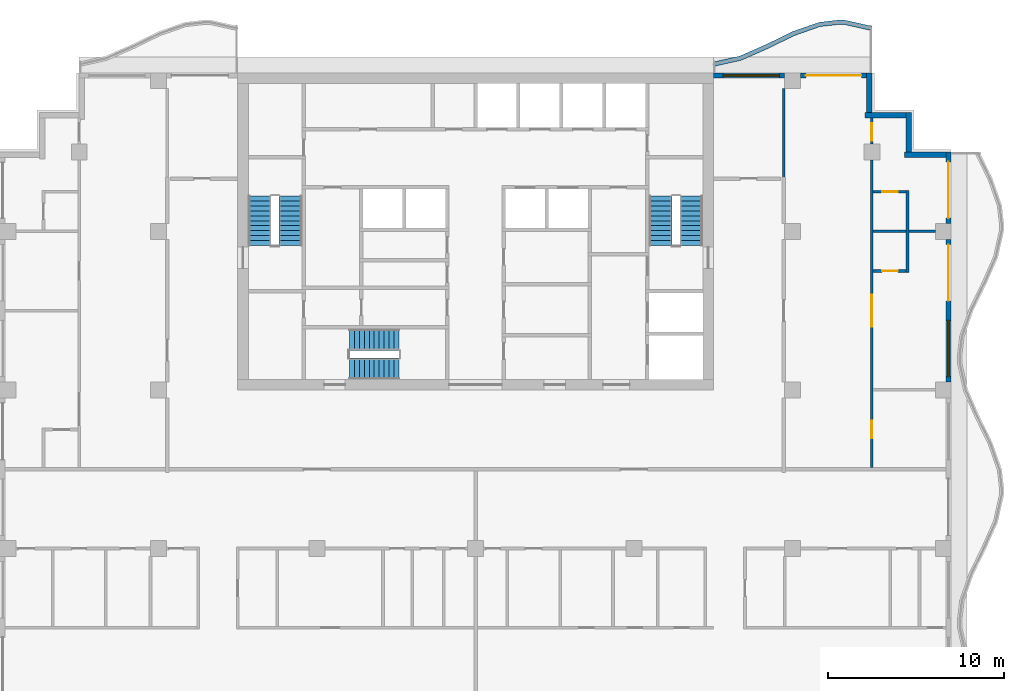
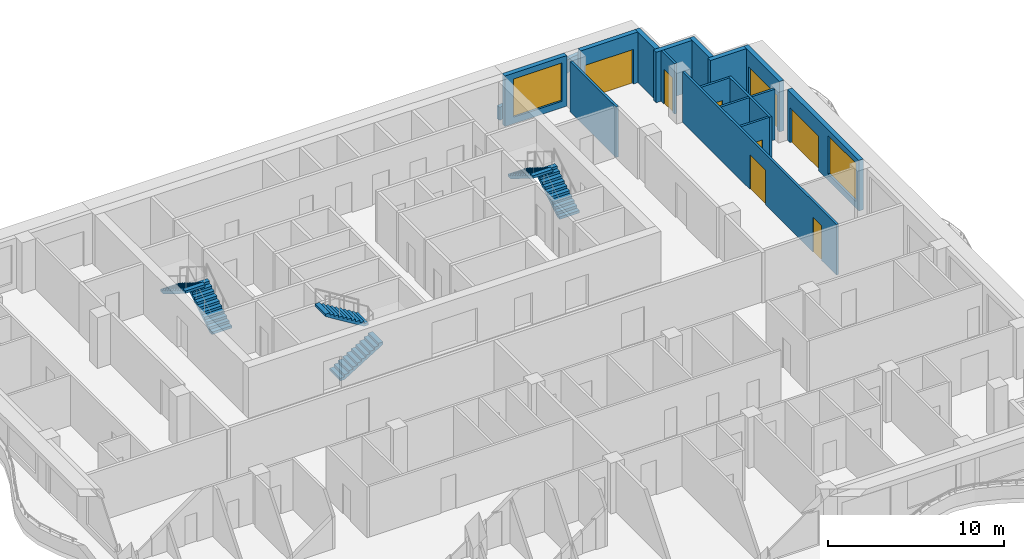
# One storey, part 7 of 11: 17 walls, 8 doors, 6 stair flights, 2 windows, 10 openings, 3 elements without a shape of their own.
"""IFC4 building model written with IfcOpenShell, lengths in metres."""

from ifc_helpers import new_model, si_unit, direction, frame, frame_2d, origin, place, context, subcontext, project, spatial, polyline, rectangle, outline, extrude, material, layer, layer_set, type_object, element, fill, aggregate, save


model = new_model("IFC4")

# Units and contexts
model_context = context("Model", 3, precision=1e-05, world=origin(), true_north=direction((0.0, 1.0)))
body_context = subcontext(model_context, "Body", "Model", "MODEL_VIEW")
ifc_project = project(units=[si_unit("LENGTHUNIT", "METRE"), si_unit("AREAUNIT", "SQUARE_METRE"), si_unit("VOLUMEUNIT", "CUBIC_METRE"), si_unit("PLANEANGLEUNIT", "RADIAN"), si_unit("MASSUNIT", "GRAM", prefix="KILO")], contexts=[model_context])

# Site, building, storey
site_placement = place(None, origin())
site = spatial("IfcSite", under=ifc_project, at=site_placement, CompositionType="ELEMENT")
building_placement = place(site_placement, origin())
building = spatial("IfcBuilding", under=site, at=building_placement, Name="Orbiselva Terraces", CompositionType="ELEMENT")
storey_placement = place(building_placement, frame((0.0, 0.0, 276.8)))
storey = spatial("IfcBuildingStorey", under=building, at=storey_placement, Name="L70", CompositionType="ELEMENT", Elevation=276.8)

# Wall
ifc_material_1 = material(Name="Concrete C40/50", Category="concrete")
ifc_layer_1 = layer(ifc_material_1, 0.25)
ifc_layer_set_1 = layer_set([ifc_layer_1], Name="Concrete C40/50")
wall_type_1 = type_object("IfcWallType", Name="ENV-PLANTER-250x900", PredefinedType="USERDEFINED", material=ifc_layer_set_1)
wall_1_placement = place(storey_placement, origin())
element("IfcWall", 1, at=wall_1_placement, inside=storey, type_object=wall_type_1, Name="Balcony planter L70 NE", ObjectType="PLANTER", PredefinedType="USERDEFINED", context=body_context, shape_type="SweptSolid", body=[
    extrude(outline(polyline([(22.5, 25.148528), (21.0, 25.485226), (20.625, 25.5), (19.5, 25.369208), (18.0, 24.844789), (16.5, 24.112279), (15.0, 23.451472), (13.5, 23.114774), (13.554754, 22.870844), (15.078508, 23.212874), (16.605286, 23.885477), (18.09644, 24.613667), (19.556371, 25.124078), (20.634572, 25.249429), (20.967435, 25.236315), (22.445246, 24.904598), (22.5, 25.148528)])), origin(), (0.0, 0.0, 1.0), 0.9),
])

# Wall, openings, door, window
ifc_material_2 = material(Name="Terracotta cladding on masonry backing", Category="masonry")
ifc_layer_2 = layer(ifc_material_2, 0.3)
ifc_layer_set_2 = layer_set([ifc_layer_2], Name="Terracotta cladding on masonry backing")
wall_type_2 = type_object("IfcWallType", Name="ENV-WALL-TERRACOTTA-300", PredefinedType="SOLIDWALL", material=ifc_layer_set_2)
wall_2_placement = place(storey_placement, frame((26.85, 13.05, 0.0), z_axis=(0.0, 0.0, 1.0), x_axis=(0.0, -1.0, 0.0)))
wall_2 = element("IfcWall", 2, at=wall_2_placement, inside=storey, type_object=wall_type_2, Name="Facade wall L70 E", PredefinedType="SOLIDWALL", context=body_context, shape_type="SweptSolid", body=[
    extrude(rectangle(XDim=8.1, YDim=0.3, at=frame_2d((4.05, 0.0))), origin(), (0.0, 0.0, 1.0), 3.5),
])
opening_1_placement = place(wall_2_placement, frame((4.6, 0.0, 0.45)))
opening_1 = element("IfcOpeningElement", 3, at=opening_1_placement, cuts=wall_2, Name="Opening WN17", PredefinedType="OPENING", context=body_context, shape_type="SweptSolid", body=[
    extrude(rectangle(XDim=3.2, YDim=2.65, at=frame_2d((1.6, 1.325))), frame((0.0, 0.16, 0.0), z_axis=(0.0, -1.0, 0.0), x_axis=(1.0, 0.0, 0.0)), (0.0, 0.0, 1.0), 0.32),
])
opening_2_placement = place(wall_2_placement, frame((0.3, 0.0, 0.0)))
opening_2 = element("IfcOpeningElement", 4, at=opening_2_placement, cuts=wall_2, Name="Opening Z5-D-E15", PredefinedType="OPENING", context=body_context, shape_type="SweptSolid", body=[
    extrude(rectangle(XDim=3.2, YDim=2.4, at=frame_2d((1.6, 1.2))), frame((0.0, 0.16, 0.0), z_axis=(0.0, -1.0, 0.0), x_axis=(1.0, 0.0, 0.0)), (0.0, 0.0, 1.0), 0.32),
])
ifc_material_3 = material(Name="Clear low-e glazing in aluminium frame", Category="aluminium")
door_type_1 = type_object("IfcDoorType", Name="BALCONY DOOR 3200 X 2400", OperationType="DOUBLE_DOOR_SLIDING", PredefinedType="DOOR", material=ifc_material_3)
door_1_placement = place(opening_2_placement, origin())
door_1 = element("IfcDoor", 5, at=door_1_placement, inside=storey, type_object=door_type_1, Name="Z5-D-E15", OperationType="SINGLE_SWING_LEFT", OverallHeight=2.4, OverallWidth=3.2, PredefinedType="DOOR", context=body_context, shape_type="SweptSolid", body=[
    extrude(rectangle(XDim=3.2, YDim=2.4, at=frame_2d((1.6, 1.2))), frame((0.0, 0.025, 0.0), z_axis=(0.0, -1.0, 0.0), x_axis=(1.0, 0.0, 0.0)), (0.0, 0.0, 1.0), 0.05),
])
fill(opening_2, door_1)
window_type = type_object("IfcWindowType", Name="WINDOW 3200 X 2650 S450", PartitioningType="TRIPLE_PANEL_VERTICAL", PredefinedType="WINDOW", material=ifc_material_3)
window_1_placement = place(opening_1_placement, origin())
window_1 = element("IfcWindow", 6, at=window_1_placement, inside=storey, type_object=window_type, Name="Window L70 E", OverallHeight=2.65, OverallWidth=3.2, PartitioningType="SINGLE_PANEL", PredefinedType="WINDOW", context=body_context, shape_type="SweptSolid", body=[
    extrude(rectangle(XDim=3.2, YDim=2.65, at=frame_2d((1.6, 1.325))), frame((0.0, 0.03, 0.0), z_axis=(0.0, -1.0, 0.0), x_axis=(1.0, 0.0, 0.0)), (0.0, 0.0, 1.0), 0.06),
])
fill(opening_1, window_1)

# Wall, opening, door
wall_3_placement = place(storey_placement, frame((26.85, 18.0, 0.0), z_axis=(0.0, 0.0, 1.0), x_axis=(0.0, -1.0, 0.0)))
wall_3 = element("IfcWall", 7, at=wall_3_placement, inside=storey, type_object=wall_type_2, Name="Facade wall L70 E", PredefinedType="SOLIDWALL", context=body_context, shape_type="SweptSolid", body=[
    extrude(rectangle(XDim=4.05, YDim=0.3, at=frame_2d((2.025, 0.0))), origin(), (0.0, 0.0, 1.0), 3.5),
])
opening_3_placement = place(wall_3_placement, frame((0.55, 0.0, 0.0)))
opening_3 = element("IfcOpeningElement", 8, at=opening_3_placement, cuts=wall_3, Name="Opening Z5-D-E06", PredefinedType="OPENING", context=body_context, shape_type="SweptSolid", body=[
    extrude(rectangle(XDim=3.2, YDim=2.4, at=frame_2d((1.6, 1.2))), frame((0.0, 0.16, 0.0), z_axis=(0.0, -1.0, 0.0), x_axis=(1.0, 0.0, 0.0)), (0.0, 0.0, 1.0), 0.32),
])
door_2_placement = place(opening_3_placement, origin())
door_2 = element("IfcDoor", 9, at=door_2_placement, inside=storey, type_object=door_type_1, Name="Z5-D-E06", OperationType="SINGLE_SWING_LEFT", OverallHeight=2.4, OverallWidth=3.2, PredefinedType="DOOR", context=body_context, shape_type="SweptSolid", body=[
    extrude(rectangle(XDim=3.2, YDim=2.4, at=frame_2d((1.6, 1.2))), frame((0.0, 0.025, 0.0), z_axis=(0.0, -1.0, 0.0), x_axis=(1.0, 0.0, 0.0)), (0.0, 0.0, 1.0), 0.05),
])
fill(opening_3, door_2)

# Walls
wall_4_placement = place(storey_placement, frame((24.35, 17.85, 0.0), z_axis=(0.0, 0.0, 1.0), x_axis=(1.0, 0.0, 0.0)))
element("IfcWall", 10, at=wall_4_placement, inside=storey, type_object=wall_type_2, Name="Facade wall L70 STEP", PredefinedType="SOLIDWALL", context=body_context, shape_type="SweptSolid", body=[
    extrude(rectangle(XDim=2.35, YDim=0.3, at=frame_2d((1.175, 0.0))), origin(), (0.0, 0.0, 1.0), 3.5),
])
wall_5_placement = place(storey_placement, frame((24.6, 20.25, 0.0), z_axis=(0.0, 0.0, 1.0), x_axis=(0.0, -1.0, 0.0)))
element("IfcWall", 11, at=wall_5_placement, inside=storey, type_object=wall_type_2, Name="Facade wall L70 STEP", PredefinedType="SOLIDWALL", context=body_context, shape_type="SweptSolid", body=[
    extrude(rectangle(XDim=2.25, YDim=0.3, at=frame_2d((1.125, 0.0))), origin(), (0.0, 0.0, 1.0), 3.5),
])
wall_6_placement = place(storey_placement, frame((22.1, 20.1, 0.0), z_axis=(0.0, 0.0, 1.0), x_axis=(1.0, 0.0, 0.0)))
element("IfcWall", 12, at=wall_6_placement, inside=storey, type_object=wall_type_2, Name="Facade wall L70 STEP", PredefinedType="SOLIDWALL", context=body_context, shape_type="SweptSolid", body=[
    extrude(rectangle(XDim=2.35, YDim=0.3, at=frame_2d((1.175, 0.0))), origin(), (0.0, 0.0, 1.0), 3.5),
])
wall_7_placement = place(storey_placement, frame((22.35, 22.5, 0.0), z_axis=(0.0, 0.0, 1.0), x_axis=(0.0, -1.0, 0.0)))
element("IfcWall", 13, at=wall_7_placement, inside=storey, type_object=wall_type_2, Name="Facade wall L70 STEP", PredefinedType="SOLIDWALL", context=body_context, shape_type="SweptSolid", body=[
    extrude(rectangle(XDim=2.25, YDim=0.3, at=frame_2d((1.125, 0.0))), origin(), (0.0, 0.0, 1.0), 3.5),
])

# Wall, opening, door
wall_8_placement = place(storey_placement, frame((18.45, 22.35, 0.0), z_axis=(0.0, 0.0, 1.0), x_axis=(1.0, 0.0, 0.0)))
wall_8 = element("IfcWall", 14, at=wall_8_placement, inside=storey, type_object=wall_type_2, Name="Facade wall L70 NE", PredefinedType="SOLIDWALL", context=body_context, shape_type="SweptSolid", body=[
    extrude(rectangle(XDim=3.75, YDim=0.3, at=frame_2d((1.875, 0.0))), origin(), (0.0, 0.0, 1.0), 3.5),
])
opening_4_placement = place(wall_8_placement, frame((0.3, 0.0, 0.0)))
opening_4 = element("IfcOpeningElement", 15, at=opening_4_placement, cuts=wall_8, Name="Opening Z5-D-E07", PredefinedType="OPENING", context=body_context, shape_type="SweptSolid", body=[
    extrude(rectangle(XDim=3.15, YDim=2.4, at=frame_2d((1.575, 1.2))), frame((0.0, 0.16, 0.0), z_axis=(0.0, -1.0, 0.0), x_axis=(1.0, 0.0, 0.0)), (0.0, 0.0, 1.0), 0.32),
])
door_type_2 = type_object("IfcDoorType", Name="BALCONY DOOR 3150 X 2400", OperationType="DOUBLE_DOOR_SLIDING", PredefinedType="DOOR", material=ifc_material_3)
door_3_placement = place(opening_4_placement, origin())
door_3 = element("IfcDoor", 16, at=door_3_placement, inside=storey, type_object=door_type_2, Name="Z5-D-E07", OperationType="SINGLE_SWING_LEFT", OverallHeight=2.4, OverallWidth=3.15, PredefinedType="DOOR", context=body_context, shape_type="SweptSolid", body=[
    extrude(rectangle(XDim=3.15, YDim=2.4, at=frame_2d((1.575, 1.2))), frame((0.0, 0.025, 0.0), z_axis=(0.0, -1.0, 0.0), x_axis=(1.0, 0.0, 0.0)), (0.0, 0.0, 1.0), 0.05),
])
fill(opening_4, door_3)

# Wall, opening, window
wall_9_placement = place(storey_placement, frame((13.5, 22.35, 0.0), z_axis=(0.0, 0.0, 1.0), x_axis=(1.0, 0.0, 0.0)))
wall_9 = element("IfcWall", 17, at=wall_9_placement, inside=storey, type_object=wall_type_2, Name="Facade wall L70 NE", PredefinedType="SOLIDWALL", context=body_context, shape_type="SweptSolid", body=[
    extrude(rectangle(XDim=4.05, YDim=0.3, at=frame_2d((2.025, 0.0))), origin(), (0.0, 0.0, 1.0), 3.5),
])
opening_5_placement = place(wall_9_placement, frame((0.55, 0.0, 0.45)))
opening_5 = element("IfcOpeningElement", 18, at=opening_5_placement, cuts=wall_9, Name="Opening WN17", PredefinedType="OPENING", context=body_context, shape_type="SweptSolid", body=[
    extrude(rectangle(XDim=3.2, YDim=2.65, at=frame_2d((1.6, 1.325))), frame((0.0, 0.16, 0.0), z_axis=(0.0, -1.0, 0.0), x_axis=(1.0, 0.0, 0.0)), (0.0, 0.0, 1.0), 0.32),
])
window_2_placement = place(opening_5_placement, origin())
window_2 = element("IfcWindow", 19, at=window_2_placement, inside=storey, type_object=window_type, Name="Window L70 NE", OverallHeight=2.65, OverallWidth=3.2, PartitioningType="SINGLE_PANEL", PredefinedType="WINDOW", context=body_context, shape_type="SweptSolid", body=[
    extrude(rectangle(XDim=3.2, YDim=2.65, at=frame_2d((1.6, 1.325))), frame((0.0, 0.03, 0.0), z_axis=(0.0, -1.0, 0.0), x_axis=(1.0, 0.0, 0.0)), (0.0, 0.0, 1.0), 0.06),
])
fill(opening_5, window_2)

# Wall, opening, door
ifc_material_4 = material(Name="Plasterboard on steel stud partition", Category="steel")
ifc_layer_3 = layer(ifc_material_4, 0.15)
ifc_layer_set_3 = layer_set([ifc_layer_3], Name="Plasterboard on steel stud partition")
wall_type_3 = type_object("IfcWallType", Name="UNIT-PARTITION-150", PredefinedType="PARTITIONING", material=ifc_layer_set_3)
wall_10_placement = place(storey_placement, frame((22.575, 11.25, 0.0), z_axis=(0.0, 0.0, 1.0), x_axis=(1.0, 0.0, 0.0)))
wall_10 = element("IfcWall", 20, at=wall_10_placement, inside=storey, type_object=wall_type_3, Name="PARTITION L70-033", PredefinedType="PARTITIONING", context=body_context, shape_type="SweptSolid", body=[
    extrude(rectangle(XDim=1.875, YDim=0.15, at=frame_2d((0.9375, 0.0))), origin(), (0.0, 0.0, 1.0), 3.5),
])
opening_6_placement = place(wall_10_placement, frame((0.5, 0.0, 0.0)))
opening_6 = element("IfcOpeningElement", 21, at=opening_6_placement, cuts=wall_10, Name="Opening Z5-D-12", PredefinedType="OPENING", context=body_context, shape_type="SweptSolid", body=[
    extrude(rectangle(XDim=0.9, YDim=2.1, at=frame_2d((0.45, 1.05))), frame((0.0, 0.085, 0.0), z_axis=(0.0, -1.0, 0.0), x_axis=(1.0, 0.0, 0.0)), (0.0, 0.0, 1.0), 0.17),
])
ifc_material_5 = material(Name="Painted timber door leaf", Category="wood")
door_type_3 = type_object("IfcDoorType", Name="BATH DOOR 900", OperationType="NOTDEFINED", PredefinedType="DOOR", material=ifc_material_5)
door_4_placement = place(opening_6_placement, origin())
door_4 = element("IfcDoor", 22, at=door_4_placement, inside=storey, type_object=door_type_3, Name="Z5-D-12", OperationType="SINGLE_SWING_RIGHT", OverallHeight=2.1, OverallWidth=0.9, PredefinedType="DOOR", context=body_context, shape_type="SweptSolid", body=[
    extrude(rectangle(XDim=0.9, YDim=2.1, at=frame_2d((0.45, 1.05))), frame((0.0, 0.025, 0.0), z_axis=(0.0, -1.0, 0.0), x_axis=(1.0, 0.0, 0.0)), (0.0, 0.0, 1.0), 0.05),
])
fill(opening_6, door_4)

# Walls
wall_11_placement = place(storey_placement, frame((22.575, 13.5, 0.0), z_axis=(0.0, 0.0, 1.0), x_axis=(1.0, 0.0, 0.0)))
element("IfcWall", 23, at=wall_11_placement, inside=storey, type_object=wall_type_3, Name="PARTITION L70-035", PredefinedType="PARTITIONING", context=body_context, shape_type="SweptSolid", body=[
    extrude(rectangle(XDim=1.875, YDim=0.15, at=frame_2d((0.9375, 0.0))), origin(), (0.0, 0.0, 1.0), 3.5),
])
wall_12_placement = place(storey_placement, frame((24.6, 13.5, 0.0), z_axis=(0.0, 0.0, 1.0), x_axis=(1.0, 0.0, 0.0)))
element("IfcWall", 24, at=wall_12_placement, inside=storey, type_object=wall_type_3, Name="PARTITION L70-036", PredefinedType="PARTITIONING", context=body_context, shape_type="SweptSolid", body=[
    extrude(rectangle(XDim=1.5, YDim=0.15, at=frame_2d((0.75, 0.0))), origin(), (0.0, 0.0, 1.0), 3.5),
])

# Wall, opening, door
wall_13_placement = place(storey_placement, frame((24.45, 15.75, 0.0), z_axis=(0.0, 0.0, 1.0), x_axis=(-1.0, 0.0, 0.0)))
wall_13 = element("IfcWall", 25, at=wall_13_placement, inside=storey, type_object=wall_type_3, Name="PARTITION L70-038", PredefinedType="PARTITIONING", context=body_context, shape_type="SweptSolid", body=[
    extrude(rectangle(XDim=1.875, YDim=0.15, at=frame_2d((0.9375, 0.0))), origin(), (0.0, 0.0, 1.0), 3.5),
])
opening_7_placement = place(wall_13_placement, frame((0.475, 0.0, 0.0)))
opening_7 = element("IfcOpeningElement", 26, at=opening_7_placement, cuts=wall_13, Name="Opening Z5-D-14", PredefinedType="OPENING", context=body_context, shape_type="SweptSolid", body=[
    extrude(rectangle(XDim=0.9, YDim=2.1, at=frame_2d((0.45, 1.05))), frame((0.0, 0.085, 0.0), z_axis=(0.0, -1.0, 0.0), x_axis=(1.0, 0.0, 0.0)), (0.0, 0.0, 1.0), 0.17),
])
door_5_placement = place(opening_7_placement, origin())
door_5 = element("IfcDoor", 27, at=door_5_placement, inside=storey, type_object=door_type_3, Name="Z5-D-14", OperationType="SINGLE_SWING_LEFT", OverallHeight=2.1, OverallWidth=0.9, PredefinedType="DOOR", context=body_context, shape_type="SweptSolid", body=[
    extrude(rectangle(XDim=0.9, YDim=2.1, at=frame_2d((0.45, 1.05))), frame((0.0, 0.025, 0.0), z_axis=(0.0, -1.0, 0.0), x_axis=(1.0, 0.0, 0.0)), (0.0, 0.0, 1.0), 0.05),
])
fill(opening_7, door_5)

# Wall
wall_14_placement = place(storey_placement, frame((17.5, 16.4, 0.0), z_axis=(0.0, 0.0, 1.0), x_axis=(0.0, 1.0, 0.0)))
element("IfcWall", 28, at=wall_14_placement, inside=storey, type_object=wall_type_3, Name="PARTITION L70-084", PredefinedType="PARTITIONING", context=body_context, shape_type="SweptSolid", body=[
    extrude(rectangle(XDim=5.2, YDim=0.15, at=frame_2d((2.6, 0.0))), origin(), (0.0, 0.0, 1.0), 3.5),
])

# Wall, openings, doors
wall_15_placement = place(storey_placement, frame((22.5, 17.55, 0.0), z_axis=(0.0, 0.0, 1.0), x_axis=(0.0, -1.0, 0.0)))
wall_15 = element("IfcWall", 29, at=wall_15_placement, inside=storey, type_object=wall_type_3, Name="PARTITION L70-088", PredefinedType="PARTITIONING", context=body_context, shape_type="SweptSolid", body=[
    extrude(rectangle(XDim=17.45, YDim=0.15, at=frame_2d((8.725, 0.0))), origin(), (0.0, 0.0, 1.0), 3.5),
])
opening_8_placement = place(wall_15_placement, frame((14.8, 0.0, 0.0)))
opening_8 = element("IfcOpeningElement", 30, at=opening_8_placement, cuts=wall_15, Name="Opening Z5-D-10", PredefinedType="OPENING", context=body_context, shape_type="SweptSolid", body=[
    extrude(rectangle(XDim=1.0, YDim=2.4, at=frame_2d((0.5, 1.2))), frame((0.0, 0.085, 0.0), z_axis=(0.0, -1.0, 0.0), x_axis=(1.0, 0.0, 0.0)), (0.0, 0.0, 1.0), 0.17),
])
opening_9_placement = place(wall_15_placement, frame((7.65, 0.0, 0.0)))
opening_9 = element("IfcOpeningElement", 31, at=opening_9_placement, cuts=wall_15, Name="Opening Z5-D-11", PredefinedType="OPENING", context=body_context, shape_type="SweptSolid", body=[
    extrude(rectangle(XDim=1.8, YDim=2.4, at=frame_2d((0.9, 1.2))), frame((0.0, 0.085, 0.0), z_axis=(0.0, -1.0, 0.0), x_axis=(1.0, 0.0, 0.0)), (0.0, 0.0, 1.0), 0.17),
])
door_type_4 = type_object("IfcDoorType", Name="DOUBLE DOOR 1800", OperationType="NOTDEFINED", PredefinedType="DOOR", material=ifc_material_5)
door_6_placement = place(opening_9_placement, origin())
door_6 = element("IfcDoor", 32, at=door_6_placement, inside=storey, type_object=door_type_4, Name="Z5-D-11", OperationType="DOUBLE_DOOR_SINGLE_SWING", OverallHeight=2.4, OverallWidth=1.8, PredefinedType="DOOR", context=body_context, shape_type="SweptSolid", body=[
    extrude(rectangle(XDim=1.8, YDim=2.4, at=frame_2d((0.9, 1.2))), frame((0.0, 0.025, 0.0), z_axis=(0.0, -1.0, 0.0), x_axis=(1.0, 0.0, 0.0)), (0.0, 0.0, 1.0), 0.05),
])
fill(opening_9, door_6)
door_type_5 = type_object("IfcDoorType", Name="ROOM DOOR 1000", OperationType="NOTDEFINED", PredefinedType="DOOR", material=ifc_material_5)
door_7_placement = place(opening_8_placement, origin())
door_7 = element("IfcDoor", 33, at=door_7_placement, inside=storey, type_object=door_type_5, Name="Z5-D-10", OperationType="SINGLE_SWING_RIGHT", OverallHeight=2.4, OverallWidth=1.0, PredefinedType="DOOR", context=body_context, shape_type="SweptSolid", body=[
    extrude(rectangle(XDim=1.0, YDim=2.4, at=frame_2d((0.5, 1.2))), frame((0.0, 0.025, 0.0), z_axis=(0.0, -1.0, 0.0), x_axis=(1.0, 0.0, 0.0)), (0.0, 0.0, 1.0), 0.05),
])
fill(opening_8, door_7)

# Wall, opening, door
wall_16_placement = place(storey_placement, frame((22.5, 19.95, 0.0), z_axis=(0.0, 0.0, 1.0), x_axis=(0.0, -1.0, 0.0)))
wall_16 = element("IfcWall", 34, at=wall_16_placement, inside=storey, type_object=wall_type_3, Name="PARTITION L70-089", PredefinedType="PARTITIONING", context=body_context, shape_type="SweptSolid", body=[
    extrude(rectangle(XDim=1.5, YDim=0.15, at=frame_2d((0.75, 0.0))), origin(), (0.0, 0.0, 1.0), 3.5),
])
opening_10_placement = place(wall_16_placement, frame((0.3, 0.0, 0.0)))
opening_10 = element("IfcOpeningElement", 35, at=opening_10_placement, cuts=wall_16, Name="Opening Z5-D-13", PredefinedType="OPENING", context=body_context, shape_type="SweptSolid", body=[
    extrude(rectangle(XDim=1.0, YDim=2.4, at=frame_2d((0.5, 1.2))), frame((0.0, 0.085, 0.0), z_axis=(0.0, -1.0, 0.0), x_axis=(1.0, 0.0, 0.0)), (0.0, 0.0, 1.0), 0.17),
])
door_8_placement = place(opening_10_placement, origin())
door_8 = element("IfcDoor", 36, at=door_8_placement, inside=storey, type_object=door_type_5, Name="Z5-D-13", OperationType="SINGLE_SWING_RIGHT", OverallHeight=2.4, OverallWidth=1.0, PredefinedType="DOOR", context=body_context, shape_type="SweptSolid", body=[
    extrude(rectangle(XDim=1.0, YDim=2.4, at=frame_2d((0.5, 1.2))), frame((0.0, 0.025, 0.0), z_axis=(0.0, -1.0, 0.0), x_axis=(1.0, 0.0, 0.0)), (0.0, 0.0, 1.0), 0.05),
])
fill(opening_10, door_8)

# Wall
wall_17_placement = place(storey_placement, frame((24.525, 11.175, 0.0), z_axis=(0.0, 0.0, 1.0), x_axis=(0.0, 1.0, 0.0)))
element("IfcWall", 37, at=wall_17_placement, inside=storey, type_object=wall_type_3, Name="PARTITION L70-091", PredefinedType="PARTITIONING", context=body_context, shape_type="SweptSolid", body=[
    extrude(rectangle(XDim=4.65, YDim=0.15, at=frame_2d((2.325, 0.0))), origin(), (0.0, 0.0, 1.0), 3.5),
])

# Stair, stair flights
stair_type_1 = type_object("IfcStairType", Name="CORE-STAIR-1200", PredefinedType="HALF_TURN_STAIR", material=ifc_material_1)
stair_1_placement = place(storey_placement, origin())
stair_1 = element("IfcStair", 38, at=stair_1_placement, inside=storey, type_object=stair_type_1, Name="L70 Exit Stair S3", PredefinedType="HALF_TURN_STAIR")
stair_flight_type_1 = type_object("IfcStairFlightType", Name="CORE-STAIR-FLIGHT-1200", PredefinedType="STRAIGHT", material=ifc_material_1)
stair_flight_1_placement = place(storey_placement, frame((-7.15, 5.7, 0.0), z_axis=(0.0, 0.0, 1.0), x_axis=(1.0, 0.0, 0.0)))
stair_flight_1 = element("IfcStairFlight", 39, at=stair_flight_1_placement, type_object=stair_flight_type_1, Name="S3 flight 1", NumberOfRisers=11, NumberOfTreads=10, PredefinedType="STRAIGHT", RiserHeight=0.172727273, TreadLength=0.28, context=body_context, shape_type="SweptSolid", body=[
    extrude(outline(polyline([(0.0, 0.0), (0.0, 0.172727), (0.28, 0.172727), (0.28, 0.345455), (0.56, 0.345455), (0.56, 0.518182), (0.84, 0.518182), (0.84, 0.690909), (1.12, 0.690909), (1.12, 0.863636), (1.4, 0.863636), (1.4, 1.036364), (1.68, 1.036364), (1.68, 1.209091), (1.96, 1.209091), (1.96, 1.381818), (2.24, 1.381818), (2.24, 1.554545), (2.52, 1.554545), (2.52, 1.727273), (2.8, 1.727273), (2.8, 1.9), (2.8, 1.551028), (0.285702, 0.0), (0.0, 0.0)])), frame((0.0, 0.6, 0.0), z_axis=(0.0, -1.0, 0.0), x_axis=(1.0, 0.0, 0.0)), (0.0, 0.0, 1.0), 1.2),
])
stair_flight_2_placement = place(storey_placement, frame((-4.35, 7.35, 1.9), z_axis=(0.0, 0.0, 1.0), x_axis=(-1.0, 0.0, 0.0)))
stair_flight_2 = element("IfcStairFlight", 40, at=stair_flight_2_placement, type_object=stair_flight_type_1, Name="S3 flight 2", NumberOfRisers=11, NumberOfTreads=10, PredefinedType="STRAIGHT", RiserHeight=0.172727273, TreadLength=0.28, context=body_context, shape_type="SweptSolid", body=[
    extrude(outline(polyline([(0.0, 0.0), (0.0, 0.172727), (0.28, 0.172727), (0.28, 0.345455), (0.56, 0.345455), (0.56, 0.518182), (0.84, 0.518182), (0.84, 0.690909), (1.12, 0.690909), (1.12, 0.863636), (1.4, 0.863636), (1.4, 1.036364), (1.68, 1.036364), (1.68, 1.209091), (1.96, 1.209091), (1.96, 1.381818), (2.24, 1.381818), (2.24, 1.554545), (2.52, 1.554545), (2.52, 1.727273), (2.8, 1.727273), (2.8, 1.9), (2.8, 1.551028), (0.285702, 0.0), (0.0, 0.0)])), frame((0.0, 0.6, 0.0), z_axis=(0.0, -1.0, 0.0), x_axis=(1.0, 0.0, 0.0)), (0.0, 0.0, 1.0), 1.2),
])
aggregate(stair_1, [stair_flight_1, stair_flight_2])

stair_type_2 = type_object("IfcStairType", Name="CORE-STAIR-1300", PredefinedType="HALF_TURN_STAIR", material=ifc_material_1)
stair_2_placement = place(storey_placement, origin())
stair_2 = element("IfcStair", 41, at=stair_2_placement, inside=storey, type_object=stair_type_2, Name="L70 Exit Stair S1", PredefinedType="HALF_TURN_STAIR")
stair_flight_type_2 = type_object("IfcStairFlightType", Name="CORE-STAIR-FLIGHT-1300", PredefinedType="STRAIGHT", material=ifc_material_1)
stair_flight_3_placement = place(storey_placement, frame((-10.5, 12.7, 0.0), z_axis=(0.0, 0.0, 1.0), x_axis=(0.0, 1.0, 0.0)))
stair_flight_3 = element("IfcStairFlight", 42, at=stair_flight_3_placement, type_object=stair_flight_type_2, Name="S1 flight 1", NumberOfRisers=11, NumberOfTreads=10, PredefinedType="STRAIGHT", RiserHeight=0.172727273, TreadLength=0.28, context=body_context, shape_type="SweptSolid", body=[
    extrude(outline(polyline([(0.0, 0.0), (0.0, 0.172727), (0.28, 0.172727), (0.28, 0.345455), (0.56, 0.345455), (0.56, 0.518182), (0.84, 0.518182), (0.84, 0.690909), (1.12, 0.690909), (1.12, 0.863636), (1.4, 0.863636), (1.4, 1.036364), (1.68, 1.036364), (1.68, 1.209091), (1.96, 1.209091), (1.96, 1.381818), (2.24, 1.381818), (2.24, 1.554545), (2.52, 1.554545), (2.52, 1.727273), (2.8, 1.727273), (2.8, 1.9), (2.8, 1.551028), (0.285702, 0.0), (0.0, 0.0)])), frame((0.0, 0.65, 0.0), z_axis=(0.0, -1.0, 0.0), x_axis=(1.0, 0.0, 0.0)), (0.0, 0.0, 1.0), 1.3),
])
stair_flight_4_placement = place(storey_placement, frame((-12.25, 15.5, 1.9), z_axis=(0.0, 0.0, 1.0), x_axis=(0.0, -1.0, 0.0)))
stair_flight_4 = element("IfcStairFlight", 43, at=stair_flight_4_placement, type_object=stair_flight_type_2, Name="S1 flight 2", NumberOfRisers=11, NumberOfTreads=10, PredefinedType="STRAIGHT", RiserHeight=0.172727273, TreadLength=0.28, context=body_context, shape_type="SweptSolid", body=[
    extrude(outline(polyline([(0.0, 0.0), (0.0, 0.172727), (0.28, 0.172727), (0.28, 0.345455), (0.56, 0.345455), (0.56, 0.518182), (0.84, 0.518182), (0.84, 0.690909), (1.12, 0.690909), (1.12, 0.863636), (1.4, 0.863636), (1.4, 1.036364), (1.68, 1.036364), (1.68, 1.209091), (1.96, 1.209091), (1.96, 1.381818), (2.24, 1.381818), (2.24, 1.554545), (2.52, 1.554545), (2.52, 1.727273), (2.8, 1.727273), (2.8, 1.9), (2.8, 1.551028), (0.285702, 0.0), (0.0, 0.0)])), frame((0.0, 0.65, 0.0), z_axis=(0.0, -1.0, 0.0), x_axis=(1.0, 0.0, 0.0)), (0.0, 0.0, 1.0), 1.3),
])
aggregate(stair_2, [stair_flight_3, stair_flight_4])

stair_3_placement = place(storey_placement, origin())
stair_3 = element("IfcStair", 44, at=stair_3_placement, inside=storey, type_object=stair_type_2, Name="L70 Exit Stair S2", PredefinedType="HALF_TURN_STAIR")
stair_flight_5_placement = place(storey_placement, frame((12.25, 12.7, 0.0), z_axis=(0.0, 0.0, 1.0), x_axis=(0.0, 1.0, 0.0)))
stair_flight_5 = element("IfcStairFlight", 45, at=stair_flight_5_placement, type_object=stair_flight_type_2, Name="S2 flight 1", NumberOfRisers=11, NumberOfTreads=10, PredefinedType="STRAIGHT", RiserHeight=0.172727273, TreadLength=0.28, context=body_context, shape_type="SweptSolid", body=[
    extrude(outline(polyline([(0.0, 0.0), (0.0, 0.172727), (0.28, 0.172727), (0.28, 0.345455), (0.56, 0.345455), (0.56, 0.518182), (0.84, 0.518182), (0.84, 0.690909), (1.12, 0.690909), (1.12, 0.863636), (1.4, 0.863636), (1.4, 1.036364), (1.68, 1.036364), (1.68, 1.209091), (1.96, 1.209091), (1.96, 1.381818), (2.24, 1.381818), (2.24, 1.554545), (2.52, 1.554545), (2.52, 1.727273), (2.8, 1.727273), (2.8, 1.9), (2.8, 1.551028), (0.285702, 0.0), (0.0, 0.0)])), frame((0.0, 0.65, 0.0), z_axis=(0.0, -1.0, 0.0), x_axis=(1.0, 0.0, 0.0)), (0.0, 0.0, 1.0), 1.3),
])
stair_flight_6_placement = place(storey_placement, frame((10.5, 15.5, 1.9), z_axis=(0.0, 0.0, 1.0), x_axis=(0.0, -1.0, 0.0)))
stair_flight_6 = element("IfcStairFlight", 46, at=stair_flight_6_placement, type_object=stair_flight_type_2, Name="S2 flight 2", NumberOfRisers=11, NumberOfTreads=10, PredefinedType="STRAIGHT", RiserHeight=0.172727273, TreadLength=0.28, context=body_context, shape_type="SweptSolid", body=[
    extrude(outline(polyline([(0.0, 0.0), (0.0, 0.172727), (0.28, 0.172727), (0.28, 0.345455), (0.56, 0.345455), (0.56, 0.518182), (0.84, 0.518182), (0.84, 0.690909), (1.12, 0.690909), (1.12, 0.863636), (1.4, 0.863636), (1.4, 1.036364), (1.68, 1.036364), (1.68, 1.209091), (1.96, 1.209091), (1.96, 1.381818), (2.24, 1.381818), (2.24, 1.554545), (2.52, 1.554545), (2.52, 1.727273), (2.8, 1.727273), (2.8, 1.9), (2.8, 1.551028), (0.285702, 0.0), (0.0, 0.0)])), frame((0.0, 0.65, 0.0), z_axis=(0.0, -1.0, 0.0), x_axis=(1.0, 0.0, 0.0)), (0.0, 0.0, 1.0), 1.3),
])
aggregate(stair_3, [stair_flight_5, stair_flight_6])

save(model, "model.ifc")
